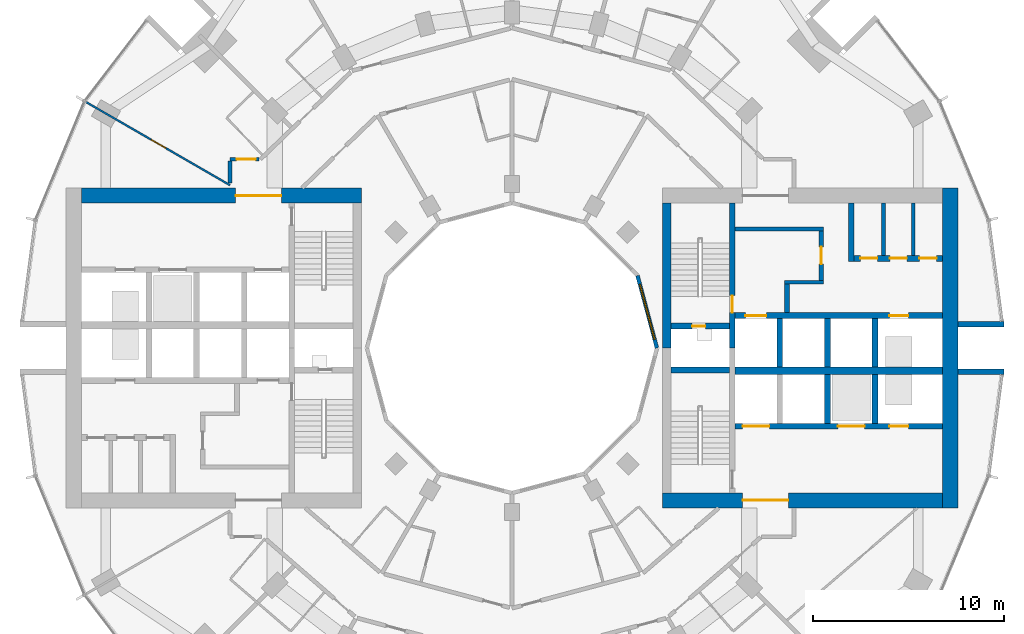
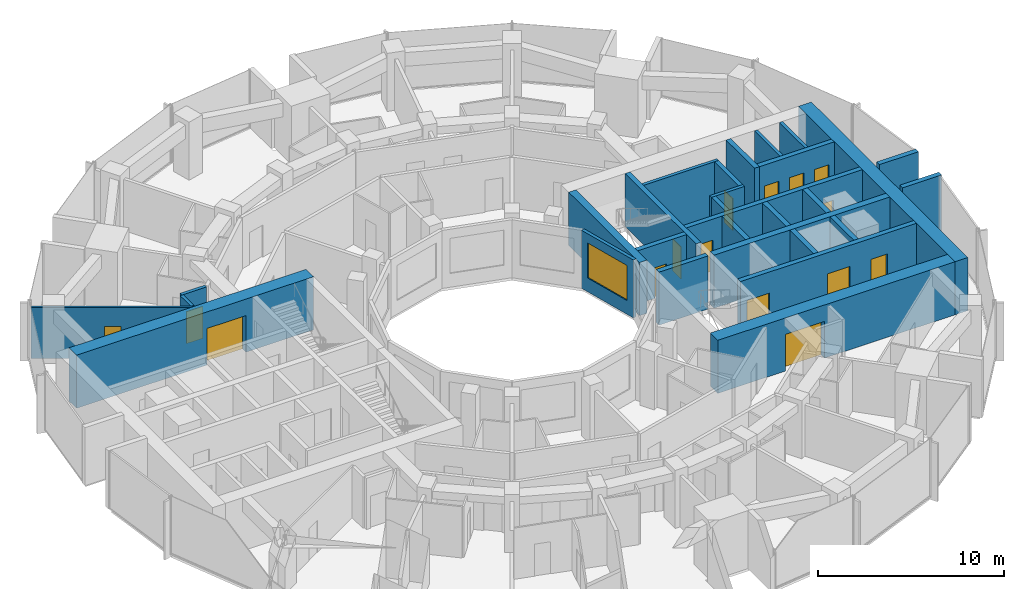
# One storey, part 11 of 15: 29 walls, 15 doors, 1 window, 16 openings.
"""IFC4 building model written with IfcOpenShell, lengths in metres."""

from ifc_helpers import new_model, si_unit, direction, frame, frame_2d, origin, place, context, subcontext, project, spatial, rectangle, extrude, material, layer, layer_set, type_object, element, fill, save


model = new_model("IFC4")

# Units and contexts
model_context = context("Model", 3, precision=1e-05, world=origin(), true_north=direction((0.0, 1.0)))
body_context = subcontext(model_context, "Body", "Model", "MODEL_VIEW")
ifc_project = project(units=[si_unit("LENGTHUNIT", "METRE"), si_unit("AREAUNIT", "SQUARE_METRE"), si_unit("VOLUMEUNIT", "CUBIC_METRE"), si_unit("PLANEANGLEUNIT", "RADIAN"), si_unit("MASSUNIT", "GRAM", prefix="KILO")], contexts=[model_context])

# Site, building, storey
site_placement = place(None, origin())
site = spatial("IfcSite", under=ifc_project, at=site_placement, CompositionType="ELEMENT")
building_placement = place(site_placement, origin())
building = spatial("IfcBuilding", under=site, at=building_placement, Name="Torre Brocal", CompositionType="ELEMENT")
storey_placement = place(building_placement, frame((0.0, 0.0, 59.199951171875)))
storey = spatial("IfcBuildingStorey", under=building, at=storey_placement, Name="L13", CompositionType="ELEMENT", Elevation=59.199951171875)

# Walls
ifc_material_1 = material(Name="Masonry block", Category="masonry")
ifc_layer_1 = layer(ifc_material_1, 0.199951171875)
ifc_layer_set_1 = layer_set([ifc_layer_1], Name="Masonry block")
wall_type_1 = type_object("IfcWallType", Name="CORE PARTITION 200", PredefinedType="PARTITIONING", material=ifc_layer_set_1)
for number, where, z_axis, x_axis, name in (
    (1, (99.5, 79.85009765625, 0.0), (0.0, 0.0, 1.0), (0.0, 1.0, 0.0), "Wall CP200"),
    (2, (101.050048828125, 79.85009765625, 0.0), (0.0, 0.0, 1.0), (0.0, 1.0, 0.0), "Wall CP200"),
):
    element("IfcWall", number, at=place(storey_placement, frame(where, z_axis=z_axis, x_axis=x_axis)), inside=storey, type_object=wall_type_1, Name=name, PredefinedType="PARTITIONING", context=body_context, shape_type="SweptSolid", body=[
        extrude(rectangle(XDim=2.75, YDim=0.199951171875, at=frame_2d((1.375, 0.0))), origin(), (0.0, 0.0, 1.0), 3.47998046875),
    ])
ifc_material_2 = material(Name="Concrete C80", Category="concrete")
ifc_layer_2 = layer(ifc_material_2, 0.199951171875)
ifc_layer_set_2 = layer_set([ifc_layer_2], Name="Concrete C80")
wall_type_2 = type_object("IfcWallType", Name="CORE WALL 200 C80", PredefinedType="SHEAR", material=ifc_layer_set_2)
wall_1_placement = place(storey_placement, frame((91.699951171875, 81.25, 0.0), z_axis=(0.0, 0.0, 1.0), x_axis=(1.0, 0.0, 0.0)))
element("IfcWall", 3, at=wall_1_placement, inside=storey, type_object=wall_type_2, Name="Wall CW200-80", PredefinedType="SHEAR", context=body_context, shape_type="SweptSolid", body=[
    extrude(rectangle(XDim=4.650146484375, YDim=0.199951171875, at=frame_2d((2.3251953125, 0.0))), origin(), (0.0, 0.0, 1.0), 3.47998046875),
])
wall_2_placement = place(storey_placement, frame((94.300048828125, 78.449951171875, 0.0), z_axis=(0.0, 0.0, 1.0), x_axis=(1.0, 0.0, 0.0)))
element("IfcWall", 4, at=wall_2_placement, inside=storey, type_object=wall_type_2, Name="Wall CW200-80", PredefinedType="SHEAR", context=body_context, shape_type="SweptSolid", body=[
    extrude(rectangle(XDim=2.050048828125, YDim=0.199951171875, at=frame_2d((1.02490234375, 0.0))), origin(), (0.0, 0.0, 1.0), 3.47998046875),
])

# Wall, opening, door
ifc_material_3 = material(Name="Concrete C80", Category="concrete")
ifc_layer_3 = layer(ifc_material_3, 0.25)
ifc_layer_set_3 = layer_set([ifc_layer_3], Name="Concrete C80")
wall_type_3 = type_object("IfcWallType", Name="CORE WALL 250 C80", PredefinedType="SHEAR", material=ifc_layer_set_3)
wall_3_placement = place(storey_placement, frame((96.22509765625, 78.550048828125, 0.0), z_axis=(0.0, 0.0, 1.0), x_axis=(0.0, 1.0, 0.0)))
wall_3 = element("IfcWall", 5, at=wall_3_placement, inside=storey, type_object=wall_type_3, Name="Wall CW250-80", PredefinedType="SHEAR", context=body_context, shape_type="SweptSolid", body=[
    extrude(rectangle(XDim=2.599853515625, YDim=0.25, at=frame_2d((1.2998046875, 0.0))), origin(), (0.0, 0.0, 1.0), 3.47998046875),
])
opening_1_placement = place(wall_3_placement, frame((0.85009765625, 0.0, 0.0)))
opening_1 = element("IfcOpeningElement", 6, at=opening_1_placement, cuts=wall_3, Name="Opening E-D15", PredefinedType="OPENING", context=body_context, shape_type="SweptSolid", body=[
    extrude(rectangle(XDim=0.89990234375, YDim=2.10009765625, at=frame_2d((0.449951171875, 1.050048828125))), frame((0.0, 0.135009765625, 0.0), z_axis=(0.0, -1.0, 0.0), x_axis=(1.0, 0.0, 0.0)), (0.0, 0.0, 1.0), 0.27001953125),
])
ifc_material_4 = material(Name="Steel A653", Category="steel")
door_type_1 = type_object("IfcDoorType", Name="LOBBY DOOR FD120 900X2100", OperationType="SINGLE_SWING_RIGHT", PredefinedType="DOOR", material=ifc_material_4)
door_1_placement = place(opening_1_placement, origin())
door_1 = element("IfcDoor", 7, at=door_1_placement, inside=storey, type_object=door_type_1, Name="Door E-D15", OperationType="SINGLE_SWING_LEFT", OverallHeight=2.10009765625, OverallWidth=0.89990234375, PredefinedType="DOOR", context=body_context, shape_type="SweptSolid", body=[
    extrude(rectangle(XDim=0.89990234375, YDim=2.10009765625, at=frame_2d((0.449951171875, 1.050048828125))), frame((0.0, 0.02490234375, 0.0), z_axis=(0.0, -1.0, 0.0), x_axis=(1.0, 0.0, 0.0)), (0.0, 0.0, 1.0), 0.050048828125),
])
fill(opening_1, door_1)

# Wall
wall_4_placement = place(storey_placement, frame((94.425048828125, 76.85009765625, 0.0), z_axis=(0.0, 0.0, 1.0), x_axis=(0.0, 1.0, 0.0)))
element("IfcWall", 8, at=wall_4_placement, inside=storey, type_object=wall_type_3, Name="Wall CW250-80", PredefinedType="SHEAR", context=body_context, shape_type="SweptSolid", body=[
    extrude(rectangle(XDim=1.5, YDim=0.25, at=frame_2d((0.75, 0.0))), origin(), (0.0, 0.0, 1.0), 3.47998046875),
])

# Wall, opening, door
ifc_material_5 = material(Name="Concrete C80", Category="concrete")
ifc_layer_4 = layer(ifc_material_5, 0.300048828125)
ifc_layer_set_4 = layer_set([ifc_layer_4], Name="Concrete C80")
wall_type_4 = type_object("IfcWallType", Name="CORE WALL 300 C80", PredefinedType="SHEAR", material=ifc_layer_set_4)
wall_5_placement = place(storey_placement, frame((91.550048828125, 75.0, 0.0), z_axis=(0.0, 0.0, 1.0), x_axis=(0.0, 1.0, 0.0)))
wall_5 = element("IfcWall", 9, at=wall_5_placement, inside=storey, type_object=wall_type_4, Name="Wall CW300-80", PredefinedType="SHEAR", context=body_context, shape_type="SweptSolid", body=[
    extrude(rectangle(XDim=7.60009765625, YDim=0.300048828125, at=frame_2d((3.800048828125, 0.0))), origin(), (0.0, 0.0, 1.0), 3.47998046875),
])
opening_2_placement = place(wall_5_placement, frame((1.85009765625, 0.0, 0.0)))
opening_2 = element("IfcOpeningElement", 10, at=opening_2_placement, cuts=wall_5, Name="Opening E-D02", PredefinedType="OPENING", context=body_context, shape_type="SweptSolid", body=[
    extrude(rectangle(XDim=0.89990234375, YDim=2.10009765625, at=frame_2d((0.449951171875, 1.050048828125))), frame((0.0, 0.159912109375, 0.0), z_axis=(0.0, -1.0, 0.0), x_axis=(1.0, 0.0, 0.0)), (0.0, 0.0, 1.0), 0.320068359375),
])
ifc_material_6 = material(Name="Steel A653", Category="steel")
door_type_2 = type_object("IfcDoorType", Name="STAIR DOOR FD120 900X2100", OperationType="SINGLE_SWING_RIGHT", PredefinedType="DOOR", material=ifc_material_6)
door_2_placement = place(opening_2_placement, origin())
door_2 = element("IfcDoor", 11, at=door_2_placement, inside=storey, type_object=door_type_2, Name="Door E-D02", OperationType="SINGLE_SWING_LEFT", OverallHeight=2.10009765625, OverallWidth=0.89990234375, PredefinedType="DOOR", context=body_context, shape_type="SweptSolid", body=[
    extrude(rectangle(XDim=0.89990234375, YDim=2.10009765625, at=frame_2d((0.449951171875, 1.050048828125))), frame((0.0, 0.02490234375, 0.0), z_axis=(0.0, -1.0, 0.0), x_axis=(1.0, 0.0, 0.0)), (0.0, 0.0, 1.0), 0.050048828125),
])
fill(opening_2, door_2)

wall_6_placement = place(storey_placement, frame((88.35009765625, 76.14990234375, 0.0), z_axis=(0.0, 0.0, 1.0), x_axis=(1.0, 0.0, 0.0)))
wall_6 = element("IfcWall", 12, at=wall_6_placement, inside=storey, type_object=wall_type_4, Name="Wall CW300-80", PredefinedType="SHEAR", context=body_context, shape_type="SweptSolid", body=[
    extrude(rectangle(XDim=3.0498046875, YDim=0.300048828125, at=frame_2d((1.52490234375, 0.0))), origin(), (0.0, 0.0, 1.0), 3.47998046875),
])
opening_3_placement = place(wall_6_placement, frame((1.10009765625, 0.0, 0.0)))
opening_3 = element("IfcOpeningElement", 13, at=opening_3_placement, cuts=wall_6, Name="Opening E-D01", PredefinedType="OPENING", context=body_context, shape_type="SweptSolid", body=[
    extrude(rectangle(XDim=0.699951171875, YDim=2.0, at=frame_2d((0.35009765625, 1.0))), frame((0.0, 0.159912109375, 0.0), z_axis=(0.0, -1.0, 0.0), x_axis=(1.0, 0.0, 0.0)), (0.0, 0.0, 1.0), 0.320068359375),
])
ifc_material_7 = material(Name="Steel A653", Category="steel")
door_type_3 = type_object("IfcDoorType", Name="RISER DOOR FD120 700X2000", OperationType="SINGLE_SWING_LEFT", PredefinedType="DOOR", material=ifc_material_7)
door_3_placement = place(opening_3_placement, frame((0.699951171875, 0.0, 0.0), z_axis=(0.0, 0.0, 1.0), x_axis=(-1.0, 0.0, 0.0)))
door_3 = element("IfcDoor", 14, at=door_3_placement, inside=storey, type_object=door_type_3, Name="Door E-D01", OperationType="SINGLE_SWING_RIGHT", OverallHeight=2.0, OverallWidth=0.699951171875, PredefinedType="DOOR", context=body_context, shape_type="SweptSolid", body=[
    extrude(rectangle(XDim=0.699951171875, YDim=2.0, at=frame_2d((0.35009765625, 1.0))), frame((0.0, 0.02490234375, 0.0), z_axis=(0.0, -1.0, 0.0), x_axis=(1.0, 0.0, 0.0)), (0.0, 0.0, 1.0), 0.050048828125),
])
fill(opening_3, door_3)

# Wall
wall_7_placement = place(storey_placement, frame((88.35009765625, 73.85009765625, 0.0), z_axis=(0.0, 0.0, 1.0), x_axis=(1.0, 0.0, 0.0)))
element("IfcWall", 15, at=wall_7_placement, inside=storey, type_object=wall_type_4, Name="Wall CW300-80", PredefinedType="SHEAR", context=body_context, shape_type="SweptSolid", body=[
    extrude(rectangle(XDim=3.0498046875, YDim=0.300048828125, at=frame_2d((1.52490234375, 0.0))), origin(), (0.0, 0.0, 1.0), 3.47998046875),
])

# Wall, openings, doors
wall_8_placement = place(storey_placement, frame((91.699951171875, 76.699951171875, 0.0), z_axis=(0.0, 0.0, 1.0), x_axis=(1.0, 0.0, 0.0)))
wall_8 = element("IfcWall", 16, at=wall_8_placement, inside=storey, type_object=wall_type_4, Name="Wall CW300-80", PredefinedType="SHEAR", context=body_context, shape_type="SweptSolid", body=[
    extrude(rectangle(XDim=10.900146484375, YDim=0.300048828125, at=frame_2d((5.4501953125, 0.0))), origin(), (0.0, 0.0, 1.0), 3.47998046875),
])
opening_4_placement = place(wall_8_placement, frame((0.550048828125, 0.0, 0.0)))
opening_4 = element("IfcOpeningElement", 17, at=opening_4_placement, cuts=wall_8, Name="Opening LD", PredefinedType="OPENING", context=body_context, shape_type="SweptSolid", body=[
    extrude(rectangle(XDim=1.10009765625, YDim=2.10009765625, at=frame_2d((0.550048828125, 1.050048828125))), frame((0.0, 0.159912109375, 0.0), z_axis=(0.0, -1.0, 0.0), x_axis=(1.0, 0.0, 0.0)), (0.0, 0.0, 1.0), 0.320068359375),
])
opening_5_placement = place(wall_8_placement, frame((8.10009765625, 0.0, 0.0)))
opening_5 = element("IfcOpeningElement", 18, at=opening_5_placement, cuts=wall_8, Name="Opening LD10", PredefinedType="OPENING", context=body_context, shape_type="SweptSolid", body=[
    extrude(rectangle(XDim=1.0, YDim=2.10009765625, at=frame_2d((0.5, 1.050048828125))), frame((0.0, 0.159912109375, 0.0), z_axis=(0.0, -1.0, 0.0), x_axis=(1.0, 0.0, 0.0)), (0.0, 0.0, 1.0), 0.320068359375),
])
ifc_material_8 = material(Name="Stainless steel AISI 316", Category="steel")
door_type_4 = type_object("IfcDoorType", Name="LIFT LANDING DOOR 1000X2100", OperationType="DOUBLE_DOOR_SLIDING", PredefinedType="DOOR", material=ifc_material_8)
door_4_placement = place(opening_5_placement, origin())
door_4 = element("IfcDoor", 19, at=door_4_placement, inside=storey, type_object=door_type_4, Name="Door LD10", OperationType="DOUBLE_DOOR_SLIDING", OverallHeight=2.10009765625, OverallWidth=1.0, PredefinedType="DOOR", context=body_context, shape_type="SweptSolid", body=[
    extrude(rectangle(XDim=1.0, YDim=2.10009765625, at=frame_2d((0.5, 1.050048828125))), frame((0.0, 0.02490234375, 0.0), z_axis=(0.0, -1.0, 0.0), x_axis=(1.0, 0.0, 0.0)), (0.0, 0.0, 1.0), 0.050048828125),
])
fill(opening_5, door_4)
ifc_material_9 = material(Name="Stainless steel AISI 316", Category="steel")
door_type_5 = type_object("IfcDoorType", Name="LIFT LANDING DOOR 1100X2100", OperationType="DOUBLE_DOOR_SLIDING", PredefinedType="DOOR", material=ifc_material_9)
door_5_placement = place(opening_4_placement, origin())
door_5 = element("IfcDoor", 20, at=door_5_placement, inside=storey, type_object=door_type_5, Name="Door LD", OperationType="DOUBLE_DOOR_SLIDING", OverallHeight=2.10009765625, OverallWidth=1.10009765625, PredefinedType="DOOR", context=body_context, shape_type="SweptSolid", body=[
    extrude(rectangle(XDim=1.10009765625, YDim=2.10009765625, at=frame_2d((0.550048828125, 1.050048828125))), frame((0.0, 0.02490234375, 0.0), z_axis=(0.0, -1.0, 0.0), x_axis=(1.0, 0.0, 0.0)), (0.0, 0.0, 1.0), 0.050048828125),
])
fill(opening_4, door_5)

wall_9_placement = place(storey_placement, frame((91.699951171875, 70.89990234375, 0.0), z_axis=(0.0, 0.0, 1.0), x_axis=(1.0, 0.0, 0.0)))
wall_9 = element("IfcWall", 21, at=wall_9_placement, inside=storey, type_object=wall_type_4, Name="Wall CW300-80", PredefinedType="SHEAR", context=body_context, shape_type="SweptSolid", body=[
    extrude(rectangle(XDim=10.900146484375, YDim=0.300048828125, at=frame_2d((5.4501953125, 0.0))), origin(), (0.0, 0.0, 1.0), 3.47998046875),
])
opening_6_placement = place(wall_9_placement, frame((0.39990234375, 0.0, 0.0)))
opening_6 = element("IfcOpeningElement", 22, at=opening_6_placement, cuts=wall_9, Name="Opening LD14", PredefinedType="OPENING", context=body_context, shape_type="SweptSolid", body=[
    extrude(rectangle(XDim=1.39990234375, YDim=2.10009765625, at=frame_2d((0.699951171875, 1.050048828125))), frame((0.0, 0.159912109375, 0.0), z_axis=(0.0, -1.0, 0.0), x_axis=(1.0, 0.0, 0.0)), (0.0, 0.0, 1.0), 0.320068359375),
])
opening_7_placement = place(wall_9_placement, frame((5.39990234375, 0.0, 0.0)))
opening_7 = element("IfcOpeningElement", 23, at=opening_7_placement, cuts=wall_9, Name="Opening LD14", PredefinedType="OPENING", context=body_context, shape_type="SweptSolid", body=[
    extrude(rectangle(XDim=1.39990234375, YDim=2.10009765625, at=frame_2d((0.699951171875, 1.050048828125))), frame((0.0, 0.159912109375, 0.0), z_axis=(0.0, -1.0, 0.0), x_axis=(1.0, 0.0, 0.0)), (0.0, 0.0, 1.0), 0.320068359375),
])
opening_8_placement = place(wall_9_placement, frame((8.10009765625, 0.0, 0.0)))
opening_8 = element("IfcOpeningElement", 24, at=opening_8_placement, cuts=wall_9, Name="Opening LD10", PredefinedType="OPENING", context=body_context, shape_type="SweptSolid", body=[
    extrude(rectangle(XDim=1.0, YDim=2.10009765625, at=frame_2d((0.5, 1.050048828125))), frame((0.0, 0.159912109375, 0.0), z_axis=(0.0, -1.0, 0.0), x_axis=(1.0, 0.0, 0.0)), (0.0, 0.0, 1.0), 0.320068359375),
])
door_6_placement = place(opening_8_placement, origin())
door_6 = element("IfcDoor", 25, at=door_6_placement, inside=storey, type_object=door_type_4, Name="Door LD10", OperationType="DOUBLE_DOOR_SLIDING", OverallHeight=2.10009765625, OverallWidth=1.0, PredefinedType="DOOR", context=body_context, shape_type="SweptSolid", body=[
    extrude(rectangle(XDim=1.0, YDim=2.10009765625, at=frame_2d((0.5, 1.050048828125))), frame((0.0, 0.02490234375, 0.0), z_axis=(0.0, -1.0, 0.0), x_axis=(1.0, 0.0, 0.0)), (0.0, 0.0, 1.0), 0.050048828125),
])
fill(opening_8, door_6)
ifc_material_10 = material(Name="Stainless steel AISI 316", Category="steel")
door_type_6 = type_object("IfcDoorType", Name="LIFT LANDING DOOR 1400X2100", OperationType="DOUBLE_DOOR_SLIDING", PredefinedType="DOOR", material=ifc_material_10)
door_7_placement = place(opening_6_placement, origin())
door_7 = element("IfcDoor", 26, at=door_7_placement, inside=storey, type_object=door_type_6, Name="Door LD14", OperationType="DOUBLE_DOOR_SLIDING", OverallHeight=2.10009765625, OverallWidth=1.39990234375, PredefinedType="DOOR", context=body_context, shape_type="SweptSolid", body=[
    extrude(rectangle(XDim=1.39990234375, YDim=2.10009765625, at=frame_2d((0.699951171875, 1.050048828125))), frame((0.0, 0.02490234375, 0.0), z_axis=(0.0, -1.0, 0.0), x_axis=(1.0, 0.0, 0.0)), (0.0, 0.0, 1.0), 0.050048828125),
])
fill(opening_6, door_7)
door_8_placement = place(opening_7_placement, origin())
door_8 = element("IfcDoor", 27, at=door_8_placement, inside=storey, type_object=door_type_6, Name="Door LD14", OperationType="DOUBLE_DOOR_SLIDING", OverallHeight=2.10009765625, OverallWidth=1.39990234375, PredefinedType="DOOR", context=body_context, shape_type="SweptSolid", body=[
    extrude(rectangle(XDim=1.39990234375, YDim=2.10009765625, at=frame_2d((0.699951171875, 1.050048828125))), frame((0.0, 0.02490234375, 0.0), z_axis=(0.0, -1.0, 0.0), x_axis=(1.0, 0.0, 0.0)), (0.0, 0.0, 1.0), 0.050048828125),
])
fill(opening_7, door_8)

# Walls
for number, where, z_axis, x_axis, name in (
    (28, (94.050048828125, 74.0, 0.0), (0.0, 0.0, 1.0), (0.0, 1.0, 0.0), "Wall CW300-80"),
    (29, (96.550048828125, 74.0, 0.0), (0.0, 0.0, 1.0), (0.0, 1.0, 0.0), "Wall CW300-80"),
    (30, (99.050048828125, 74.0, 0.0), (0.0, 0.0, 1.0), (0.0, 1.0, 0.0), "Wall CW300-80"),
    (31, (96.550048828125, 71.050048828125, 0.0), (0.0, 0.0, 1.0), (0.0, 1.0, 0.0), "Wall CW300-80"),
    (32, (99.050048828125, 71.050048828125, 0.0), (0.0, 0.0, 1.0), (0.0, 1.0, 0.0), "Wall CW300-80"),
):
    element("IfcWall", number, at=place(storey_placement, frame(where, z_axis=z_axis, x_axis=x_axis)), inside=storey, type_object=wall_type_4, Name=name, PredefinedType="SHEAR", context=body_context, shape_type="SweptSolid", body=[
        extrude(rectangle(XDim=2.550048828125, YDim=0.300048828125, at=frame_2d((1.27490234375, 0.0))), origin(), (0.0, 0.0, 1.0), 3.47998046875),
    ])
wall_10_placement = place(storey_placement, frame((97.800048828125, 79.550048828125, 0.0), z_axis=(0.0, 0.0, 1.0), x_axis=(0.0, 1.0, 0.0)))
element("IfcWall", 33, at=wall_10_placement, inside=storey, type_object=wall_type_4, Name="Wall CW300-80", PredefinedType="SHEAR", context=body_context, shape_type="SweptSolid", body=[
    extrude(rectangle(XDim=3.050048828125, YDim=0.300048828125, at=frame_2d((1.52490234375, 0.0))), origin(), (0.0, 0.0, 1.0), 3.47998046875),
])

# Wall, openings, doors
wall_11_placement = place(storey_placement, frame((97.949951171875, 79.699951171875, 0.0), z_axis=(0.0, 0.0, 1.0), x_axis=(1.0, 0.0, 0.0)))
wall_11 = element("IfcWall", 34, at=wall_11_placement, inside=storey, type_object=wall_type_4, Name="Wall CW300-80", PredefinedType="SHEAR", context=body_context, shape_type="SweptSolid", body=[
    extrude(rectangle(XDim=4.650146484375, YDim=0.300048828125, at=frame_2d((2.3251953125, 0.0))), origin(), (0.0, 0.0, 1.0), 3.47998046875),
])
opening_9_placement = place(wall_11_placement, frame((0.324951171875, 0.0, 0.0)))
opening_9 = element("IfcOpeningElement", 35, at=opening_9_placement, cuts=wall_11, Name="Opening E-D05", PredefinedType="OPENING", context=body_context, shape_type="SweptSolid", body=[
    extrude(rectangle(XDim=0.89990234375, YDim=2.10009765625, at=frame_2d((0.449951171875, 1.050048828125))), frame((0.0, 0.159912109375, 0.0), z_axis=(0.0, -1.0, 0.0), x_axis=(1.0, 0.0, 0.0)), (0.0, 0.0, 1.0), 0.320068359375),
])
opening_10_placement = place(wall_11_placement, frame((1.875, 0.0, 0.0)))
opening_10 = element("IfcOpeningElement", 36, at=opening_10_placement, cuts=wall_11, Name="Opening E-D06", PredefinedType="OPENING", context=body_context, shape_type="SweptSolid", body=[
    extrude(rectangle(XDim=0.89990234375, YDim=2.10009765625, at=frame_2d((0.449951171875, 1.050048828125))), frame((0.0, 0.159912109375, 0.0), z_axis=(0.0, -1.0, 0.0), x_axis=(1.0, 0.0, 0.0)), (0.0, 0.0, 1.0), 0.320068359375),
])
opening_11_placement = place(wall_11_placement, frame((3.425048828125, 0.0, 0.0)))
opening_11 = element("IfcOpeningElement", 37, at=opening_11_placement, cuts=wall_11, Name="Opening E-D07", PredefinedType="OPENING", context=body_context, shape_type="SweptSolid", body=[
    extrude(rectangle(XDim=0.89990234375, YDim=2.10009765625, at=frame_2d((0.449951171875, 1.050048828125))), frame((0.0, 0.159912109375, 0.0), z_axis=(0.0, -1.0, 0.0), x_axis=(1.0, 0.0, 0.0)), (0.0, 0.0, 1.0), 0.320068359375),
])
ifc_material_11 = material(Name="Steel A653", Category="steel")
door_type_7 = type_object("IfcDoorType", Name="ROOM DOOR FD30S 900X2100", OperationType="SINGLE_SWING_LEFT", PredefinedType="DOOR", material=ifc_material_11)
door_9_placement = place(opening_9_placement, origin())
door_9 = element("IfcDoor", 38, at=door_9_placement, inside=storey, type_object=door_type_7, Name="Door E-D05", OperationType="SINGLE_SWING_RIGHT", OverallHeight=2.10009765625, OverallWidth=0.89990234375, PredefinedType="DOOR", context=body_context, shape_type="SweptSolid", body=[
    extrude(rectangle(XDim=0.89990234375, YDim=2.10009765625, at=frame_2d((0.449951171875, 1.050048828125))), frame((0.0, 0.02490234375, 0.0), z_axis=(0.0, -1.0, 0.0), x_axis=(1.0, 0.0, 0.0)), (0.0, 0.0, 1.0), 0.050048828125),
])
fill(opening_9, door_9)
door_10_placement = place(opening_10_placement, origin())
door_10 = element("IfcDoor", 39, at=door_10_placement, inside=storey, type_object=door_type_7, Name="Door E-D06", OperationType="SINGLE_SWING_RIGHT", OverallHeight=2.10009765625, OverallWidth=0.89990234375, PredefinedType="DOOR", context=body_context, shape_type="SweptSolid", body=[
    extrude(rectangle(XDim=0.89990234375, YDim=2.10009765625, at=frame_2d((0.449951171875, 1.050048828125))), frame((0.0, 0.02490234375, 0.0), z_axis=(0.0, -1.0, 0.0), x_axis=(1.0, 0.0, 0.0)), (0.0, 0.0, 1.0), 0.050048828125),
])
fill(opening_10, door_10)
door_11_placement = place(opening_11_placement, origin())
door_11 = element("IfcDoor", 40, at=door_11_placement, inside=storey, type_object=door_type_7, Name="Door E-D07", OperationType="SINGLE_SWING_LEFT", OverallHeight=2.10009765625, OverallWidth=0.89990234375, PredefinedType="DOOR", context=body_context, shape_type="SweptSolid", body=[
    extrude(rectangle(XDim=0.89990234375, YDim=2.10009765625, at=frame_2d((0.449951171875, 1.050048828125))), frame((0.0, 0.02490234375, 0.0), z_axis=(0.0, -1.0, 0.0), x_axis=(1.0, 0.0, 0.0)), (0.0, 0.0, 1.0), 0.050048828125),
])
fill(opening_11, door_11)

# Walls
ifc_material_12 = material(Name="Concrete C80", Category="concrete")
ifc_layer_5 = layer(ifc_material_12, 0.39990234375)
ifc_layer_set_5 = layer_set([ifc_layer_5], Name="Concrete C80")
wall_type_5 = type_object("IfcWallType", Name="CORE WALL 400 C80", PredefinedType="SHEAR", material=ifc_layer_set_5)
wall_12_placement = place(storey_placement, frame((91.699951171875, 73.800048828125, 0.0), z_axis=(0.0, 0.0, 1.0), x_axis=(1.0, 0.0, 0.0)))
element("IfcWall", 41, at=wall_12_placement, inside=storey, type_object=wall_type_5, Name="Wall CW400-80", PredefinedType="SHEAR", context=body_context, shape_type="SweptSolid", body=[
    extrude(rectangle(XDim=10.900146484375, YDim=0.39990234375, at=frame_2d((5.4501953125, 0.0))), origin(), (0.0, 0.0, 1.0), 3.47998046875),
])
ifc_material_13 = material(Name="Concrete C80", Category="concrete")
ifc_layer_6 = layer(ifc_material_13, 0.449951171875)
ifc_layer_set_6 = layer_set([ifc_layer_6], Name="Concrete C80")
wall_type_6 = type_object("IfcWallType", Name="CORE WALL 450 C80", PredefinedType="SHEAR", material=ifc_layer_set_6)
wall_13_placement = place(storey_placement, frame((88.125, 75.0, 0.0), z_axis=(0.0, 0.0, 1.0), x_axis=(0.0, 1.0, 0.0)))
element("IfcWall", 42, at=wall_13_placement, inside=storey, type_object=wall_type_6, Name="Wall CW450-80", PredefinedType="SHEAR", context=body_context, shape_type="SweptSolid", body=[
    extrude(rectangle(XDim=7.60009765625, YDim=0.449951171875, at=frame_2d((3.800048828125, 0.0))), origin(), (0.0, 0.0, 1.0), 3.47998046875),
])

# Wall, opening, door
ifc_material_14 = material(Name="Concrete C80", Category="concrete")
ifc_layer_7 = layer(ifc_material_14, 0.800048828125)
ifc_layer_set_7 = layer_set([ifc_layer_7], Name="Concrete C80")
wall_type_7 = type_object("IfcWallType", Name="CORE WALL 800 C80", PredefinedType="SHEAR", material=ifc_layer_set_7)
wall_14_placement = place(storey_placement, frame((87.89990234375, 67.0, 0.0), z_axis=(0.0, 0.0, 1.0), x_axis=(1.0, 0.0, 0.0)))
wall_14 = element("IfcWall", 43, at=wall_14_placement, inside=storey, type_object=wall_type_7, Name="Wall CW800-80", PredefinedType="SHEAR", context=body_context, shape_type="SweptSolid", body=[
    extrude(rectangle(XDim=14.7001953125, YDim=0.800048828125, at=frame_2d((7.35009765625, 0.0))), origin(), (0.0, 0.0, 1.0), 3.47998046875),
])
opening_12_placement = place(wall_14_placement, frame((4.199951171875, 0.0, 0.0)))
opening_12 = element("IfcOpeningElement", 44, at=opening_12_placement, cuts=wall_14, Name="Opening E-D30", PredefinedType="OPENING", context=body_context, shape_type="SweptSolid", body=[
    extrude(rectangle(XDim=2.39990234375, YDim=2.39990234375, at=frame_2d((1.199951171875, 1.199951171875))), frame((0.0, 0.409912109375, 0.0), z_axis=(0.0, -1.0, 0.0), x_axis=(1.0, 0.0, 0.0)), (0.0, 0.0, 1.0), 0.820068359375),
])
ifc_material_15 = material(Name="Steel A653", Category="steel")
door_type_8 = type_object("IfcDoorType", Name="DOUBLE FIRE DOOR FD90 2400X2400", OperationType="DOUBLE_DOOR_SINGLE_SWING", PredefinedType="DOOR", material=ifc_material_15)
door_12_placement = place(opening_12_placement, origin())
door_12 = element("IfcDoor", 45, at=door_12_placement, inside=storey, type_object=door_type_8, Name="Door E-D30", OperationType="DOUBLE_DOOR_SINGLE_SWING", OverallHeight=2.39990234375, OverallWidth=2.39990234375, PredefinedType="DOOR", context=body_context, shape_type="SweptSolid", body=[
    extrude(rectangle(XDim=2.39990234375, YDim=2.39990234375, at=frame_2d((1.199951171875, 1.199951171875))), frame((0.0, 0.02490234375, 0.0), z_axis=(0.0, -1.0, 0.0), x_axis=(1.0, 0.0, 0.0)), (0.0, 0.0, 1.0), 0.050048828125),
])
fill(opening_12, door_12)

# Wall
wall_15_placement = place(storey_placement, frame((103.0, 66.60009765625, 0.0), z_axis=(0.0, 0.0, 1.0), x_axis=(0.0, 1.0, 0.0)))
element("IfcWall", 46, at=wall_15_placement, inside=storey, type_object=wall_type_7, Name="Wall CW800-80", PredefinedType="SHEAR", context=body_context, shape_type="SweptSolid", body=[
    extrude(rectangle(XDim=16.7998046875, YDim=0.800048828125, at=frame_2d((8.39990234375, 0.0))), origin(), (0.0, 0.0, 1.0), 3.47998046875),
])

# Wall, opening, door
wall_16_placement = place(storey_placement, frame((72.10009765625, 83.0, 0.0), z_axis=(0.0, 0.0, 1.0), x_axis=(-1.0, 0.0, 0.0)))
wall_16 = element("IfcWall", 47, at=wall_16_placement, inside=storey, type_object=wall_type_7, Name="Wall CW800-80", PredefinedType="SHEAR", context=body_context, shape_type="SweptSolid", body=[
    extrude(rectangle(XDim=14.7001953125, YDim=0.800048828125, at=frame_2d((7.35009765625, 0.0))), origin(), (0.0, 0.0, 1.0), 3.47998046875),
])
opening_13_placement = place(wall_16_placement, frame((4.199951171875, 0.0, 0.0)))
opening_13 = element("IfcOpeningElement", 48, at=opening_13_placement, cuts=wall_16, Name="Opening W-D30", PredefinedType="OPENING", context=body_context, shape_type="SweptSolid", body=[
    extrude(rectangle(XDim=2.39990234375, YDim=2.39990234375, at=frame_2d((1.199951171875, 1.199951171875))), frame((0.0, 0.409912109375, 0.0), z_axis=(0.0, -1.0, 0.0), x_axis=(1.0, 0.0, 0.0)), (0.0, 0.0, 1.0), 0.820068359375),
])
door_13_placement = place(opening_13_placement, origin())
door_13 = element("IfcDoor", 49, at=door_13_placement, inside=storey, type_object=door_type_8, Name="Door W-D30", OperationType="DOUBLE_DOOR_SINGLE_SWING", OverallHeight=2.39990234375, OverallWidth=2.39990234375, PredefinedType="DOOR", context=body_context, shape_type="SweptSolid", body=[
    extrude(rectangle(XDim=2.39990234375, YDim=2.39990234375, at=frame_2d((1.199951171875, 1.199951171875))), frame((0.0, 0.02490234375, 0.0), z_axis=(0.0, -1.0, 0.0), x_axis=(1.0, 0.0, 0.0)), (0.0, 0.0, 1.0), 0.050048828125),
])
fill(opening_13, door_13)

# Walls
ifc_material_16 = material(Name="Concrete C80", Category="concrete")
ifc_layer_8 = layer(ifc_material_16, 0.300048828125)
ifc_layer_set_8 = layer_set([ifc_layer_8], Name="Concrete C80")
wall_type_8 = type_object("IfcWallType", Name="NOTCH RETURN WALL 300 C80", PredefinedType="NOTDEFINED", material=ifc_layer_set_8)
for number, where, z_axis, x_axis, name in (
    (50, (103.39990234375, 73.75, 0.0), (0.0, 0.0, 1.0), (1.0, 0.0, 0.0), "NOTCH RETURN WALL"),
    (51, (103.39990234375, 76.25, 0.0), (0.0, 0.0, 1.0), (1.0, 0.0, 0.0), "NOTCH RETURN WALL"),
):
    element("IfcWall", number, at=place(storey_placement, frame(where, z_axis=z_axis, x_axis=x_axis)), inside=storey, type_object=wall_type_8, Name=name, PredefinedType="NOTDEFINED", context=body_context, shape_type="SweptSolid", body=[
        extrude(rectangle(XDim=2.415771484375, YDim=0.300048828125, at=frame_2d((1.2080078125, 0.0))), origin(), (0.0, 0.0, 1.0), 3.800048828125),
    ])

# Wall, opening, door
ifc_material_17 = material(Name="Gypsum board", Category="Gypsum")
ifc_layer_9 = layer(ifc_material_17, 0.10009765625)
ifc_layer_set_9 = layer_set([ifc_layer_9], Name="Gypsum board")
wall_type_9 = type_object("IfcWallType", Name="PARTITION 100", PredefinedType="PARTITIONING", material=ifc_layer_set_9)
wall_17_placement = place(storey_placement, frame((57.65869140625, 87.89892578125, 0.0), z_axis=(0.0, 0.0, 1.0), x_axis=(0.86602264145, -0.500004784474, 0.0)))
wall_17 = element("IfcWall", 52, at=wall_17_placement, inside=storey, type_object=wall_type_9, Name="ROOM PARTITION", PredefinedType="PARTITIONING", context=body_context, shape_type="SweptSolid", body=[
    extrude(rectangle(XDim=8.7080078125, YDim=0.10009765625, at=frame_2d((4.35400390625, 0.0))), origin(), (0.0, 0.0, 1.0), 3.35009765625),
])
opening_14_placement = place(wall_17_placement, frame((3.928955078125, 0.0, 0.0)))
opening_14 = element("IfcOpeningElement", 53, at=opening_14_placement, cuts=wall_17, Name="Opening H03-D13", PredefinedType="OPENING", context=body_context, shape_type="SweptSolid", body=[
    extrude(rectangle(XDim=0.89990234375, YDim=2.10009765625, at=frame_2d((0.449951171875, 1.050048828125))), frame((0.0, 0.06005859375, 0.0), z_axis=(0.0, -1.0, 0.0), x_axis=(1.0, 0.0, 0.0)), (0.0, 0.0, 1.0), 0.1201171875),
])
ifc_material_18 = material(Name="Timber", Category="wood")
door_type_9 = type_object("IfcDoorType", Name="ROOM DOOR 900X2100", OperationType="SINGLE_SWING_LEFT", PredefinedType="DOOR", material=ifc_material_18)
door_14_placement = place(opening_14_placement, frame((0.89990234375, 0.0, 0.0), z_axis=(0.0, 0.0, 1.0), x_axis=(-1.0, 0.0, 0.0)))
door_14 = element("IfcDoor", 54, at=door_14_placement, inside=storey, type_object=door_type_9, Name="H03-D13", OperationType="SINGLE_SWING_LEFT", OverallHeight=2.10009765625, OverallWidth=0.89990234375, PredefinedType="DOOR", context=body_context, shape_type="SweptSolid", body=[
    extrude(rectangle(XDim=0.89990234375, YDim=2.10009765625, at=frame_2d((0.449951171875, 1.050048828125))), frame((0.0, 0.02490234375, 0.0), z_axis=(0.0, -1.0, 0.0), x_axis=(1.0, 0.0, 0.0)), (0.0, 0.0, 1.0), 0.050048828125),
])
fill(opening_14, door_14)

# Wall
ifc_material_19 = material(Name="Gypsum board", Category="Gypsum")
ifc_layer_10 = layer(ifc_material_19, 0.199951171875)
ifc_layer_set_10 = layer_set([ifc_layer_10], Name="Gypsum board")
wall_type_10 = type_object("IfcWallType", Name="PARTITION 200 EI60", PredefinedType="PARTITIONING", material=ifc_layer_set_10)
wall_18_placement = place(storey_placement, frame((65.199951171875, 83.64990234375, 0.0), z_axis=(0.0, 0.0, 1.0), x_axis=(0.0, 1.0, 0.0)))
element("IfcWall", 55, at=wall_18_placement, inside=storey, type_object=wall_type_10, Name="GUESTROOM CORRIDOR WALL", PredefinedType="PARTITIONING", context=body_context, shape_type="SweptSolid", body=[
    extrude(rectangle(XDim=1.150146484375, YDim=0.199951171875, at=frame_2d((0.5751953125, 0.0))), origin(), (0.0, 0.0, 1.0), 3.35009765625),
])

# Wall, opening, door
wall_19_placement = place(storey_placement, frame((65.199951171875, 84.89990234375, 0.0), z_axis=(0.0, 0.0, 1.0), x_axis=(1.0, 0.0, 0.0)))
wall_19 = element("IfcWall", 56, at=wall_19_placement, inside=storey, type_object=wall_type_10, Name="GUESTROOM CORRIDOR WALL", PredefinedType="PARTITIONING", context=body_context, shape_type="SweptSolid", body=[
    extrude(rectangle(XDim=1.537109375, YDim=0.199951171875, at=frame_2d((0.7685546875, 0.0))), origin(), (0.0, 0.0, 1.0), 3.35009765625),
])
opening_15_placement = place(wall_19_placement, frame((0.346923828125, 0.0, 0.0)))
opening_15 = element("IfcOpeningElement", 57, at=opening_15_placement, cuts=wall_19, Name="Opening H03-D11", PredefinedType="OPENING", context=body_context, shape_type="SweptSolid", body=[
    extrude(rectangle(XDim=1.0, YDim=2.10009765625, at=frame_2d((0.5, 1.050048828125))), frame((0.0, 0.10986328125, 0.0), z_axis=(0.0, -1.0, 0.0), x_axis=(1.0, 0.0, 0.0)), (0.0, 0.0, 1.0), 0.219970703125),
])
ifc_material_20 = material(Name="Timber", Category="wood")
door_type_10 = type_object("IfcDoorType", Name="FLAT ENTRY DOOR FD30S 1000X2100", OperationType="SINGLE_SWING_RIGHT", PredefinedType="DOOR", material=ifc_material_20)
door_15_placement = place(opening_15_placement, origin())
door_15 = element("IfcDoor", 58, at=door_15_placement, inside=storey, type_object=door_type_10, Name="H03-D11", OperationType="SINGLE_SWING_LEFT", OverallHeight=2.10009765625, OverallWidth=1.0, PredefinedType="DOOR", context=body_context, shape_type="SweptSolid", body=[
    extrude(rectangle(XDim=1.0, YDim=2.10009765625, at=frame_2d((0.5, 1.050048828125))), frame((0.0, 0.02490234375, 0.0), z_axis=(0.0, -1.0, 0.0), x_axis=(1.0, 0.0, 0.0)), (0.0, 0.0, 1.0), 0.050048828125),
])
fill(opening_15, door_15)

# Wall, opening, window
ifc_material_21 = material(Name="Concrete C40", Category="concrete")
ifc_layer_11 = layer(ifc_material_21, 0.199951171875)
ifc_layer_set_11 = layer_set([ifc_layer_11], Name="Concrete C40")
wall_type_11 = type_object("IfcWallType", Name="WELL FACADE WALL 200", PredefinedType="NOTDEFINED", material=ifc_layer_set_11)
wall_20_placement = place(storey_placement, frame((87.603515625, 75.0, 0.0), z_axis=(0.0, 0.0, 1.0), x_axis=(-0.258789828301, 0.965933654434, 0.0)))
wall_20 = element("IfcWall", 59, at=wall_20_placement, inside=storey, type_object=wall_type_11, Name="WELL FACADE WALL", PredefinedType="NOTDEFINED", context=body_context, shape_type="SweptSolid", body=[
    extrude(rectangle(XDim=3.935791015625, YDim=0.199951171875, at=frame_2d((1.9677734375, 0.0))), origin(), (0.0, 0.0, 1.0), 3.800048828125),
])
opening_16_placement = place(wall_20_placement, frame((0.468017578125, 0.0, 0.89990234375)))
opening_16 = element("IfcOpeningElement", 60, at=opening_16_placement, cuts=wall_20, Name="Opening W1", PredefinedType="OPENING", context=body_context, shape_type="SweptSolid", body=[
    extrude(rectangle(XDim=3.0, YDim=2.300048828125, at=frame_2d((1.5, 1.14990234375))), frame((0.0, 0.10986328125, 0.0), z_axis=(0.0, -1.0, 0.0), x_axis=(1.0, 0.0, 0.0)), (0.0, 0.0, 1.0), 0.219970703125),
])
ifc_material_22 = material(Name="Aluminium and glass", Category="aluminium")
window_type = type_object("IfcWindowType", Name="WELL WINDOW 3000X2300", PartitioningType="SINGLE_PANEL", PredefinedType="WINDOW", material=ifc_material_22)
window_placement = place(opening_16_placement, origin())
window = element("IfcWindow", 61, at=window_placement, inside=storey, type_object=window_type, Name="WELL WINDOW 3000X2300", OverallHeight=2.300048828125, OverallWidth=3.0, PartitioningType="SINGLE_PANEL", PredefinedType="WINDOW", context=body_context, shape_type="SweptSolid", body=[
    extrude(rectangle(XDim=3.0, YDim=2.300048828125, at=frame_2d((1.5, 1.14990234375))), frame((0.0, 0.030029296875, 0.0), z_axis=(0.0, -1.0, 0.0), x_axis=(1.0, 0.0, 0.0)), (0.0, 0.0, 1.0), 0.06005859375),
])
fill(opening_16, window)

save(model, "model.ifc")
